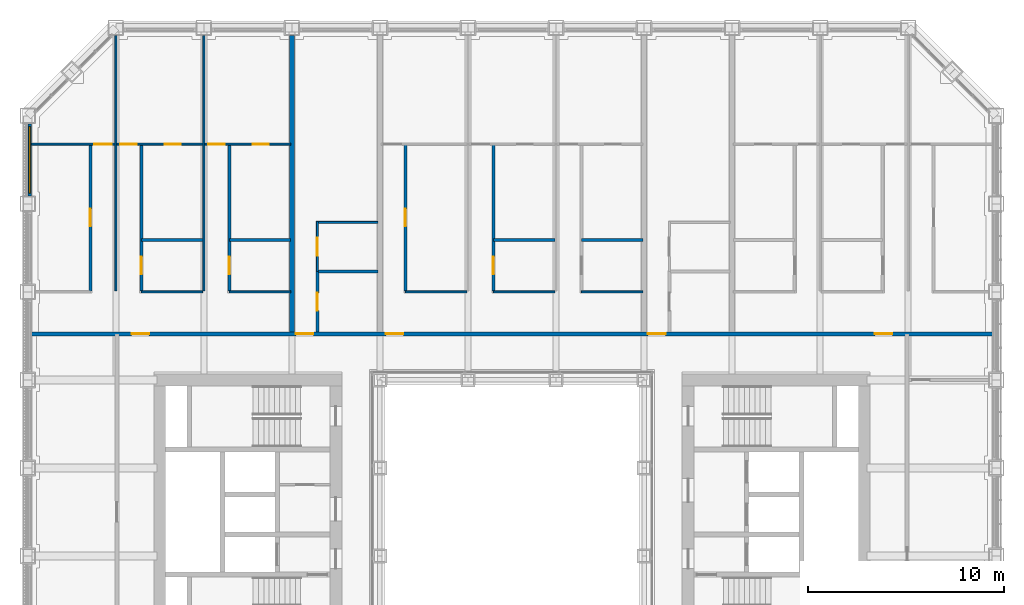
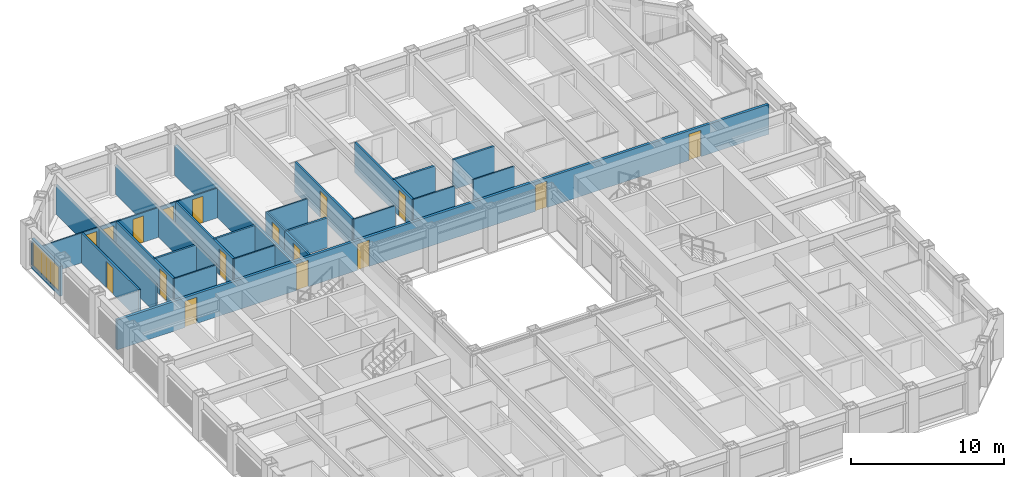
# One storey, part 13 of 20: 26 walls, 17 doors, 1 window, 18 openings.
"""IFC4 building model written with IfcOpenShell, lengths in metres."""

from ifc_helpers import new_model, si_unit, direction, frame, frame_2d, origin, place, context, subcontext, project, spatial, rectangle, extrude, material, layer, layer_set, type_object, element, fill, save


model = new_model("IFC4")

# Units and contexts
model_context = context("Model", 3, precision=1e-05, world=origin(), true_north=direction((0.0, 1.0)))
body_context = subcontext(model_context, "Body", "Model", "MODEL_VIEW")
ifc_project = project(units=[si_unit("LENGTHUNIT", "METRE"), si_unit("AREAUNIT", "SQUARE_METRE"), si_unit("VOLUMEUNIT", "CUBIC_METRE"), si_unit("PLANEANGLEUNIT", "RADIAN"), si_unit("MASSUNIT", "GRAM", prefix="KILO")], contexts=[model_context])

# Site, building, storey
site_placement = place(None, origin())
site = spatial("IfcSite", under=ifc_project, at=site_placement, CompositionType="ELEMENT")
building_placement = place(site_placement, origin())
building = spatial("IfcBuilding", under=site, at=building_placement, Name="Msasa Ring Tower", CompositionType="ELEMENT")
storey_placement = place(building_placement, frame((0.0, 0.0, 58.0)))
storey = spatial("IfcBuildingStorey", under=building, at=storey_placement, Name="L14", CompositionType="ELEMENT", Elevation=58.0)

# Wall, opening, window
ifc_material_1 = material(Name="Terracotta rainscreen on blockwork", Category="masonry")
ifc_layer_1 = layer(ifc_material_1, 0.199951171875)
ifc_layer_set_1 = layer_set([ifc_layer_1], Name="FW1 TERRACOTTA-LINED INFILL BAY WALL 200")
wall_type_1 = type_object("IfcWallType", Name="FW1 TERRACOTTA-LINED INFILL BAY WALL 200", PredefinedType="SOLIDWALL", material=ifc_layer_set_1)
wall_1_placement = place(storey_placement, frame((-24.64990234375, 16.155029296875, 0.0), z_axis=(0.0, 0.0, 1.0), x_axis=(0.0, 1.0, 0.0)))
wall_1 = element("IfcWall", 1, at=wall_1_placement, inside=storey, type_object=wall_type_1, Name="Infill bay wall W L14 41", PredefinedType="SOLIDWALL", context=body_context, shape_type="SweptSolid", body=[
    extrude(rectangle(XDim=3.68994140625, YDim=0.199951171875, at=frame_2d((1.844970703125, 0.0))), origin(), (0.0, 0.0, 1.0), 2.37890625),
])
opening_1_placement = place(wall_1_placement, frame((0.14501953125, 0.0, 0.300048828125)))
opening_1 = element("IfcOpeningElement", 2, at=opening_1_placement, cuts=wall_1, Name="Opening WN1", PredefinedType="OPENING", context=body_context, shape_type="SweptSolid", body=[
    extrude(rectangle(XDim=3.39990234375, YDim=1.928955078125, at=frame_2d((1.699951171875, 0.96435546875))), frame((0.0, 0.10986328125, 0.0), z_axis=(0.0, -1.0, 0.0), x_axis=(1.0, 0.0, 0.0)), (0.0, 0.0, 1.0), 0.219970703125),
])
ifc_material_2 = material(Name="Aluminium frame with clear glass", Category="aluminium")
window_type = type_object("IfcWindowType", Name="WN1 RESIDENCE WINDOW 3400x1929", PartitioningType="SINGLE_PANEL", PredefinedType="WINDOW", material=ifc_material_2)
window_placement = place(opening_1_placement, origin())
window = element("IfcWindow", 3, at=window_placement, inside=storey, type_object=window_type, Name="Window W L14 41", OverallHeight=1.928955078125, OverallWidth=3.39990234375, PartitioningType="SINGLE_PANEL", PredefinedType="WINDOW", context=body_context, shape_type="SweptSolid", body=[
    extrude(rectangle(XDim=3.39990234375, YDim=1.928955078125, at=frame_2d((1.699951171875, 0.96435546875))), frame((0.0, 0.030029296875, 0.0), z_axis=(0.0, -1.0, 0.0), x_axis=(1.0, 0.0, 0.0)), (0.0, 0.0, 1.0), 0.06005859375),
])
fill(opening_1, window)

# Wall, openings, doors
ifc_material_3 = material(Name="Concrete blockwork", Category="masonry")
ifc_layer_2 = layer(ifc_material_3, 0.199951171875)
ifc_layer_set_2 = layer_set([ifc_layer_2], Name="PT1 CORRIDOR WALL 200")
wall_type_2 = type_object("IfcWallType", Name="PT1 CORRIDOR WALL 200", PredefinedType="PARTITIONING", material=ifc_layer_set_2)
wall_2_placement = place(storey_placement, frame((-24.550048828125, 9.10009765625, 0.0), z_axis=(0.0, 0.0, 1.0), x_axis=(1.0, 0.0, 0.0)))
wall_2 = element("IfcWall", 4, at=wall_2_placement, inside=storey, type_object=wall_type_2, Name="Corridor wall L14-CORRN0", PredefinedType="PARTITIONING", context=body_context, shape_type="SweptSolid", body=[
    extrude(rectangle(XDim=49.10009765625, YDim=0.199951171875, at=frame_2d((24.550048828125, 0.0))), origin(), (0.0, 0.0, 1.0), 2.373291015625),
])
opening_2_placement = place(wall_2_placement, frame((5.10009765625, 0.0, 0.0)))
opening_2 = element("IfcOpeningElement", 5, at=opening_2_placement, cuts=wall_2, Name="Opening RD-029", PredefinedType="OPENING", context=body_context, shape_type="SweptSolid", body=[
    extrude(rectangle(XDim=0.89990234375, YDim=2.10009765625, at=frame_2d((0.449951171875, 1.050048828125))), frame((0.0, 0.10986328125, 0.0), z_axis=(0.0, -1.0, 0.0), x_axis=(1.0, 0.0, 0.0)), (0.0, 0.0, 1.0), 0.219970703125),
])
opening_3_placement = place(wall_2_placement, frame((13.5, 0.0, 0.0)))
opening_3 = element("IfcOpeningElement", 6, at=opening_3_placement, cuts=wall_2, Name="Opening RD-030", PredefinedType="OPENING", context=body_context, shape_type="SweptSolid", body=[
    extrude(rectangle(XDim=0.89990234375, YDim=2.10009765625, at=frame_2d((0.449951171875, 1.050048828125))), frame((0.0, 0.10986328125, 0.0), z_axis=(0.0, -1.0, 0.0), x_axis=(1.0, 0.0, 0.0)), (0.0, 0.0, 1.0), 0.219970703125),
])
opening_4_placement = place(wall_2_placement, frame((18.10009765625, 0.0, 0.0)))
opening_4 = element("IfcOpeningElement", 7, at=opening_4_placement, cuts=wall_2, Name="Opening RD-031", PredefinedType="OPENING", context=body_context, shape_type="SweptSolid", body=[
    extrude(rectangle(XDim=0.89990234375, YDim=2.10009765625, at=frame_2d((0.449951171875, 1.050048828125))), frame((0.0, 0.10986328125, 0.0), z_axis=(0.0, -1.0, 0.0), x_axis=(1.0, 0.0, 0.0)), (0.0, 0.0, 1.0), 0.219970703125),
])
opening_5_placement = place(wall_2_placement, frame((31.5, 0.0, 0.0)))
opening_5 = element("IfcOpeningElement", 8, at=opening_5_placement, cuts=wall_2, Name="Opening RD-032", PredefinedType="OPENING", context=body_context, shape_type="SweptSolid", body=[
    extrude(rectangle(XDim=0.89990234375, YDim=2.10009765625, at=frame_2d((0.449951171875, 1.050048828125))), frame((0.0, 0.10986328125, 0.0), z_axis=(0.0, -1.0, 0.0), x_axis=(1.0, 0.0, 0.0)), (0.0, 0.0, 1.0), 0.219970703125),
])
opening_6_placement = place(wall_2_placement, frame((43.10009765625, 0.0, 0.0)))
opening_6 = element("IfcOpeningElement", 9, at=opening_6_placement, cuts=wall_2, Name="Opening RD-033", PredefinedType="OPENING", context=body_context, shape_type="SweptSolid", body=[
    extrude(rectangle(XDim=0.89990234375, YDim=2.10009765625, at=frame_2d((0.449951171875, 1.050048828125))), frame((0.0, 0.10986328125, 0.0), z_axis=(0.0, -1.0, 0.0), x_axis=(1.0, 0.0, 0.0)), (0.0, 0.0, 1.0), 0.219970703125),
])
ifc_material_4 = material(Name="Timber door leaf in a steel frame", Category="steel")
door_type_1 = type_object("IfcDoorType", Name="D2 ENTRANCE DOOR 900x2100", OperationType="SINGLE_SWING_LEFT", PredefinedType="DOOR", material=ifc_material_4)
door_1_placement = place(opening_2_placement, origin())
door_1 = element("IfcDoor", 10, at=door_1_placement, inside=storey, type_object=door_type_1, Name="Door L14-UN00", OperationType="SINGLE_SWING_LEFT", OverallHeight=2.10009765625, OverallWidth=0.89990234375, PredefinedType="DOOR", context=body_context, shape_type="SweptSolid", body=[
    extrude(rectangle(XDim=0.89990234375, YDim=2.10009765625, at=frame_2d((0.449951171875, 1.050048828125))), frame((0.0, 0.02490234375, 0.0), z_axis=(0.0, -1.0, 0.0), x_axis=(1.0, 0.0, 0.0)), (0.0, 0.0, 1.0), 0.050048828125),
])
fill(opening_2, door_1)
door_2_placement = place(opening_3_placement, origin())
door_2 = element("IfcDoor", 11, at=door_2_placement, inside=storey, type_object=door_type_1, Name="Door L14-UN01", OperationType="SINGLE_SWING_LEFT", OverallHeight=2.10009765625, OverallWidth=0.89990234375, PredefinedType="DOOR", context=body_context, shape_type="SweptSolid", body=[
    extrude(rectangle(XDim=0.89990234375, YDim=2.10009765625, at=frame_2d((0.449951171875, 1.050048828125))), frame((0.0, 0.02490234375, 0.0), z_axis=(0.0, -1.0, 0.0), x_axis=(1.0, 0.0, 0.0)), (0.0, 0.0, 1.0), 0.050048828125),
])
fill(opening_3, door_2)
door_3_placement = place(opening_4_placement, origin())
door_3 = element("IfcDoor", 12, at=door_3_placement, inside=storey, type_object=door_type_1, Name="Door L14-UN02", OperationType="SINGLE_SWING_LEFT", OverallHeight=2.10009765625, OverallWidth=0.89990234375, PredefinedType="DOOR", context=body_context, shape_type="SweptSolid", body=[
    extrude(rectangle(XDim=0.89990234375, YDim=2.10009765625, at=frame_2d((0.449951171875, 1.050048828125))), frame((0.0, 0.02490234375, 0.0), z_axis=(0.0, -1.0, 0.0), x_axis=(1.0, 0.0, 0.0)), (0.0, 0.0, 1.0), 0.050048828125),
])
fill(opening_4, door_3)
door_4_placement = place(opening_5_placement, origin())
door_4 = element("IfcDoor", 13, at=door_4_placement, inside=storey, type_object=door_type_1, Name="Door L14-UN03", OperationType="SINGLE_SWING_RIGHT", OverallHeight=2.10009765625, OverallWidth=0.89990234375, PredefinedType="DOOR", context=body_context, shape_type="SweptSolid", body=[
    extrude(rectangle(XDim=0.89990234375, YDim=2.10009765625, at=frame_2d((0.449951171875, 1.050048828125))), frame((0.0, 0.02490234375, 0.0), z_axis=(0.0, -1.0, 0.0), x_axis=(1.0, 0.0, 0.0)), (0.0, 0.0, 1.0), 0.050048828125),
])
fill(opening_5, door_4)
door_5_placement = place(opening_6_placement, origin())
door_5 = element("IfcDoor", 14, at=door_5_placement, inside=storey, type_object=door_type_1, Name="Door L14-UN04", OperationType="SINGLE_SWING_RIGHT", OverallHeight=2.10009765625, OverallWidth=0.89990234375, PredefinedType="DOOR", context=body_context, shape_type="SweptSolid", body=[
    extrude(rectangle(XDim=0.89990234375, YDim=2.10009765625, at=frame_2d((0.449951171875, 1.050048828125))), frame((0.0, 0.02490234375, 0.0), z_axis=(0.0, -1.0, 0.0), x_axis=(1.0, 0.0, 0.0)), (0.0, 0.0, 1.0), 0.050048828125),
])
fill(opening_6, door_5)

# Wall, opening, door
ifc_material_5 = material(Name="Gypsum board on steel studs", Category="steel")
ifc_layer_3 = layer(ifc_material_5, 0.10009765625)
ifc_layer_set_3 = layer_set([ifc_layer_3], Name="PT2 STUD PARTITION 100")
wall_type_3 = type_object("IfcWallType", Name="PT2 STUD PARTITION 100", PredefinedType="PARTITIONING", material=ifc_layer_set_3)
wall_3_placement = place(storey_placement, frame((-24.550048828125, 18.800048828125, 0.0), z_axis=(0.0, 0.0, 1.0), x_axis=(1.0, 0.0, 0.0)))
wall_3 = element("IfcWall", 15, at=wall_3_placement, inside=storey, type_object=wall_type_3, Name="Partition L14-UN00SY0", PredefinedType="PARTITIONING", context=body_context, shape_type="SweptSolid", body=[
    extrude(rectangle(XDim=4.25, YDim=0.10009765625, at=frame_2d((2.125, 0.0))), origin(), (0.0, 0.0, 1.0), 2.373291015625),
])
opening_7_placement = place(wall_3_placement, frame((3.199951171875, 0.0, 0.0)))
opening_7 = element("IfcOpeningElement", 16, at=opening_7_placement, cuts=wall_3, Name="Opening RD-001", PredefinedType="OPENING", context=body_context, shape_type="SweptSolid", body=[
    extrude(rectangle(XDim=0.89990234375, YDim=2.10009765625, at=frame_2d((0.449951171875, 1.050048828125))), frame((0.0, 0.06005859375, 0.0), z_axis=(0.0, -1.0, 0.0), x_axis=(1.0, 0.0, 0.0)), (0.0, 0.0, 1.0), 0.1201171875),
])
ifc_material_6 = material(Name="Timber door leaf in a steel frame", Category="steel")
door_type_2 = type_object("IfcDoorType", Name="D22 INTERNAL HALL DOOR 900x2100", OperationType="SINGLE_SWING_LEFT", PredefinedType="DOOR", material=ifc_material_6)
door_6_placement = place(opening_7_placement, origin())
door_6 = element("IfcDoor", 17, at=door_6_placement, inside=storey, type_object=door_type_2, Name="Door L14-UN00L", OperationType="SINGLE_SWING_RIGHT", OverallHeight=2.10009765625, OverallWidth=0.89990234375, PredefinedType="DOOR", context=body_context, shape_type="SweptSolid", body=[
    extrude(rectangle(XDim=0.89990234375, YDim=2.10009765625, at=frame_2d((0.449951171875, 1.050048828125))), frame((0.0, 0.02490234375, 0.0), z_axis=(0.0, -1.0, 0.0), x_axis=(1.0, 0.0, 0.0)), (0.0, 0.0, 1.0), 0.050048828125),
])
fill(opening_7, door_6)

# Walls
wall_4_placement = place(storey_placement, frame((-20.25, 11.300048828125, 0.0), z_axis=(0.0, 0.0, 1.0), x_axis=(0.0, 1.0, 0.0)))
element("IfcWall", 18, at=wall_4_placement, inside=storey, type_object=wall_type_3, Name="Partition L14-UN00P1", PredefinedType="PARTITIONING", context=body_context, shape_type="SweptSolid", body=[
    extrude(rectangle(XDim=13.050048828125, YDim=0.10009765625, at=frame_2d((6.52490234375, 0.0))), origin(), (0.0, 0.0, 1.0), 2.373291015625),
])
wall_5_placement = place(storey_placement, frame((-18.949951171875, 11.25, 0.0), z_axis=(0.0, 0.0, 1.0), x_axis=(1.0, 0.0, 0.0)))
element("IfcWall", 19, at=wall_5_placement, inside=storey, type_object=wall_type_3, Name="Partition L14-UN00HY1", PredefinedType="PARTITIONING", context=body_context, shape_type="SweptSolid", body=[
    extrude(rectangle(XDim=3.139892578125, YDim=0.10009765625, at=frame_2d((1.56982421875, 0.0))), origin(), (0.0, 0.0, 1.0), 2.373291015625),
])

# Wall, openings, doors
wall_6_placement = place(storey_placement, frame((-20.199951171875, 18.800048828125, 0.0), z_axis=(0.0, 0.0, 1.0), x_axis=(1.0, 0.0, 0.0)))
wall_6 = element("IfcWall", 20, at=wall_6_placement, inside=storey, type_object=wall_type_3, Name="Partition L14-UN00SY1", PredefinedType="PARTITIONING", context=body_context, shape_type="SweptSolid", body=[
    extrude(rectangle(XDim=4.39990234375, YDim=0.10009765625, at=frame_2d((2.199951171875, 0.0))), origin(), (0.0, 0.0, 1.0), 2.373291015625),
])
opening_8_placement = place(wall_6_placement, frame((0.175048828125, 0.0, 0.0)))
opening_8 = element("IfcOpeningElement", 21, at=opening_8_placement, cuts=wall_6, Name="Opening RD-002", PredefinedType="OPENING", context=body_context, shape_type="SweptSolid", body=[
    extrude(rectangle(XDim=0.85009765625, YDim=2.10009765625, at=frame_2d((0.425048828125, 1.050048828125))), frame((0.0, 0.06005859375, 0.0), z_axis=(0.0, -1.0, 0.0), x_axis=(1.0, 0.0, 0.0)), (0.0, 0.0, 1.0), 0.1201171875),
])
opening_9_placement = place(wall_6_placement, frame((2.4599609375, 0.0, 0.0)))
opening_9 = element("IfcOpeningElement", 22, at=opening_9_placement, cuts=wall_6, Name="Opening RD-003", PredefinedType="OPENING", context=body_context, shape_type="SweptSolid", body=[
    extrude(rectangle(XDim=0.800048828125, YDim=2.10009765625, at=frame_2d((0.39990234375, 1.050048828125))), frame((0.0, 0.06005859375, 0.0), z_axis=(0.0, -1.0, 0.0), x_axis=(1.0, 0.0, 0.0)), (0.0, 0.0, 1.0), 0.1201171875),
])
ifc_material_7 = material(Name="Timber door leaf in a steel frame", Category="steel")
door_type_3 = type_object("IfcDoorType", Name="D14 BEDROOM DOOR 850x2100", OperationType="SINGLE_SWING_LEFT", PredefinedType="DOOR", material=ifc_material_7)
door_7_placement = place(opening_8_placement, origin())
door_7 = element("IfcDoor", 23, at=door_7_placement, inside=storey, type_object=door_type_3, Name="Door L14-UN00R1", OperationType="SINGLE_SWING_LEFT", OverallHeight=2.10009765625, OverallWidth=0.85009765625, PredefinedType="DOOR", context=body_context, shape_type="SweptSolid", body=[
    extrude(rectangle(XDim=0.85009765625, YDim=2.10009765625, at=frame_2d((0.425048828125, 1.050048828125))), frame((0.0, 0.02490234375, 0.0), z_axis=(0.0, -1.0, 0.0), x_axis=(1.0, 0.0, 0.0)), (0.0, 0.0, 1.0), 0.050048828125),
])
fill(opening_8, door_7)
ifc_material_8 = material(Name="Timber door leaf in a steel frame", Category="steel")
door_type_4 = type_object("IfcDoorType", Name="D60 DRESSING ROOM DOOR 800x2100", OperationType="SINGLE_SWING_LEFT", PredefinedType="DOOR", material=ifc_material_8)
door_8_placement = place(opening_9_placement, origin())
door_8 = element("IfcDoor", 24, at=door_8_placement, inside=storey, type_object=door_type_4, Name="Door L14-UN00W1", OperationType="SINGLE_SWING_RIGHT", OverallHeight=2.10009765625, OverallWidth=0.800048828125, PredefinedType="DOOR", context=body_context, shape_type="SweptSolid", body=[
    extrude(rectangle(XDim=0.800048828125, YDim=2.10009765625, at=frame_2d((0.39990234375, 1.050048828125))), frame((0.0, 0.02490234375, 0.0), z_axis=(0.0, -1.0, 0.0), x_axis=(1.0, 0.0, 0.0)), (0.0, 0.0, 1.0), 0.050048828125),
])
fill(opening_9, door_8)

# Walls
wall_7_placement = place(storey_placement, frame((-15.75, 11.300048828125, 0.0), z_axis=(0.0, 0.0, 1.0), x_axis=(0.0, 1.0, 0.0)))
element("IfcWall", 25, at=wall_7_placement, inside=storey, type_object=wall_type_3, Name="Partition L14-UN00P2", PredefinedType="PARTITIONING", context=body_context, shape_type="SweptSolid", body=[
    extrude(rectangle(XDim=13.050048828125, YDim=0.10009765625, at=frame_2d((6.52490234375, 0.0))), origin(), (0.0, 0.0, 1.0), 2.373291015625),
])
wall_8_placement = place(storey_placement, frame((-14.449951171875, 11.25, 0.0), z_axis=(0.0, 0.0, 1.0), x_axis=(1.0, 0.0, 0.0)))
element("IfcWall", 26, at=wall_8_placement, inside=storey, type_object=wall_type_3, Name="Partition L14-UN00HY2", PredefinedType="PARTITIONING", context=body_context, shape_type="SweptSolid", body=[
    extrude(rectangle(XDim=3.139892578125, YDim=0.10009765625, at=frame_2d((1.56982421875, 0.0))), origin(), (0.0, 0.0, 1.0), 2.373291015625),
])

# Wall, openings, doors
wall_9_placement = place(storey_placement, frame((-15.699951171875, 18.800048828125, 0.0), z_axis=(0.0, 0.0, 1.0), x_axis=(1.0, 0.0, 0.0)))
wall_9 = element("IfcWall", 27, at=wall_9_placement, inside=storey, type_object=wall_type_3, Name="Partition L14-UN00SY2", PredefinedType="PARTITIONING", context=body_context, shape_type="SweptSolid", body=[
    extrude(rectangle(XDim=4.389892578125, YDim=0.10009765625, at=frame_2d((2.19482421875, 0.0))), origin(), (0.0, 0.0, 1.0), 2.373291015625),
])
opening_10_placement = place(wall_9_placement, frame((0.175048828125, 0.0, 0.0)))
opening_10 = element("IfcOpeningElement", 28, at=opening_10_placement, cuts=wall_9, Name="Opening RD-004", PredefinedType="OPENING", context=body_context, shape_type="SweptSolid", body=[
    extrude(rectangle(XDim=0.85009765625, YDim=2.10009765625, at=frame_2d((0.425048828125, 1.050048828125))), frame((0.0, 0.06005859375, 0.0), z_axis=(0.0, -1.0, 0.0), x_axis=(1.0, 0.0, 0.0)), (0.0, 0.0, 1.0), 0.1201171875),
])
opening_11_placement = place(wall_9_placement, frame((2.4599609375, 0.0, 0.0)))
opening_11 = element("IfcOpeningElement", 29, at=opening_11_placement, cuts=wall_9, Name="Opening RD-005", PredefinedType="OPENING", context=body_context, shape_type="SweptSolid", body=[
    extrude(rectangle(XDim=0.800048828125, YDim=2.10009765625, at=frame_2d((0.39990234375, 1.050048828125))), frame((0.0, 0.06005859375, 0.0), z_axis=(0.0, -1.0, 0.0), x_axis=(1.0, 0.0, 0.0)), (0.0, 0.0, 1.0), 0.1201171875),
])
door_9_placement = place(opening_10_placement, origin())
door_9 = element("IfcDoor", 30, at=door_9_placement, inside=storey, type_object=door_type_3, Name="Door L14-UN00R2", OperationType="SINGLE_SWING_LEFT", OverallHeight=2.10009765625, OverallWidth=0.85009765625, PredefinedType="DOOR", context=body_context, shape_type="SweptSolid", body=[
    extrude(rectangle(XDim=0.85009765625, YDim=2.10009765625, at=frame_2d((0.425048828125, 1.050048828125))), frame((0.0, 0.02490234375, 0.0), z_axis=(0.0, -1.0, 0.0), x_axis=(1.0, 0.0, 0.0)), (0.0, 0.0, 1.0), 0.050048828125),
])
fill(opening_10, door_9)
door_10_placement = place(opening_11_placement, origin())
door_10 = element("IfcDoor", 31, at=door_10_placement, inside=storey, type_object=door_type_4, Name="Door L14-UN00W2", OperationType="SINGLE_SWING_RIGHT", OverallHeight=2.10009765625, OverallWidth=0.800048828125, PredefinedType="DOOR", context=body_context, shape_type="SweptSolid", body=[
    extrude(rectangle(XDim=0.800048828125, YDim=2.10009765625, at=frame_2d((0.39990234375, 1.050048828125))), frame((0.0, 0.02490234375, 0.0), z_axis=(0.0, -1.0, 0.0), x_axis=(1.0, 0.0, 0.0)), (0.0, 0.0, 1.0), 0.050048828125),
])
fill(opening_11, door_10)

# Wall
wall_10_placement = place(storey_placement, frame((-9.89990234375, 14.800048828125, 0.0), z_axis=(0.0, 0.0, 1.0), x_axis=(1.0, 0.0, 0.0)))
element("IfcWall", 32, at=wall_10_placement, inside=storey, type_object=wall_type_3, Name="Partition L14-UN01KY", PredefinedType="PARTITIONING", context=body_context, shape_type="SweptSolid", body=[
    extrude(rectangle(XDim=3.0498046875, YDim=0.10009765625, at=frame_2d((1.52490234375, 0.0))), origin(), (0.0, 0.0, 1.0), 2.373291015625),
])

# Wall, opening, door
wall_11_placement = place(storey_placement, frame((-9.949951171875, 12.300048828125, 0.0), z_axis=(0.0, 0.0, 1.0), x_axis=(0.0, 1.0, 0.0)))
wall_11 = element("IfcWall", 33, at=wall_11_placement, inside=storey, type_object=wall_type_3, Name="Partition L14-UN01KX", PredefinedType="PARTITIONING", context=body_context, shape_type="SweptSolid", body=[
    extrude(rectangle(XDim=2.550048828125, YDim=0.10009765625, at=frame_2d((1.27490234375, 0.0))), origin(), (0.0, 0.0, 1.0), 2.373291015625),
])
opening_12_placement = place(wall_11_placement, frame((0.81005859375, 0.0, 0.0)))
opening_12 = element("IfcOpeningElement", 34, at=opening_12_placement, cuts=wall_11, Name="Opening RD-019", PredefinedType="OPENING", context=body_context, shape_type="SweptSolid", body=[
    extrude(rectangle(XDim=0.89990234375, YDim=2.10009765625, at=frame_2d((0.449951171875, 1.050048828125))), frame((0.0, 0.06005859375, 0.0), z_axis=(0.0, -1.0, 0.0), x_axis=(1.0, 0.0, 0.0)), (0.0, 0.0, 1.0), 0.1201171875),
])
door_11_placement = place(opening_12_placement, origin())
door_11 = element("IfcDoor", 35, at=door_11_placement, inside=storey, type_object=door_type_2, Name="Door L14-UN01K", OperationType="SINGLE_SWING_LEFT", OverallHeight=2.10009765625, OverallWidth=0.89990234375, PredefinedType="DOOR", context=body_context, shape_type="SweptSolid", body=[
    extrude(rectangle(XDim=0.89990234375, YDim=2.10009765625, at=frame_2d((0.449951171875, 1.050048828125))), frame((0.0, 0.02490234375, 0.0), z_axis=(0.0, -1.0, 0.0), x_axis=(1.0, 0.0, 0.0)), (0.0, 0.0, 1.0), 0.050048828125),
])
fill(opening_12, door_11)

# Walls
for number, where, z_axis, x_axis, name in (
    (36, (-5.449951171875, 11.25, 0.0), (0.0, 0.0, 1.0), (1.0, 0.0, 0.0), "Partition L14-UN02HY0"),
    (37, (-0.949951171875, 11.25, 0.0), (0.0, 0.0, 1.0), (1.0, 0.0, 0.0), "Partition L14-UN02HY1"),
    (38, (3.550048828125, 11.25, 0.0), (0.0, 0.0, 1.0), (1.0, 0.0, 0.0), "Partition L14-UN02HY2"),
):
    element("IfcWall", number, at=place(storey_placement, frame(where, z_axis=z_axis, x_axis=x_axis)), inside=storey, type_object=wall_type_3, Name=name, PredefinedType="PARTITIONING", context=body_context, shape_type="SweptSolid", body=[
        extrude(rectangle(XDim=3.139892578125, YDim=0.10009765625, at=frame_2d((1.56982421875, 0.0))), origin(), (0.0, 0.0, 1.0), 2.373291015625),
    ])
ifc_material_9 = material(Name="Dense concrete blockwork, plastered both faces", Category="masonry")
ifc_layer_4 = layer(ifc_material_9, 0.25)
ifc_layer_set_4 = layer_set([ifc_layer_4], Name="PT3 APARTMENT SEPARATING WALL 250")
wall_type_4 = type_object("IfcWallType", Name="PT3 APARTMENT SEPARATING WALL 250", PredefinedType="PARTITIONING", material=ifc_layer_set_4)
wall_12_placement = place(storey_placement, frame((-11.25, 9.199951171875, 0.0), z_axis=(0.0, 0.0, 1.0), x_axis=(0.0, 1.0, 0.0)))
element("IfcWall", 39, at=wall_12_placement, inside=storey, type_object=wall_type_4, Name="Party wall L14-PWN-11.25", PredefinedType="PARTITIONING", context=body_context, shape_type="SweptSolid", body=[
    extrude(rectangle(XDim=15.150146484375, YDim=0.25, at=frame_2d((7.5751953125, 0.0))), origin(), (0.0, 0.0, 1.0), 2.373291015625),
])

# Wall, opening, door
ifc_material_10 = material(Name="Moisture-resistant board on steel studs with a concealed cistern and pipe void, tiled", Category="steel")
ifc_layer_5 = layer(ifc_material_10, 0.14990234375)
ifc_layer_set_5 = layer_set([ifc_layer_5], Name="PT4 BATHROOM WET WALL 150")
wall_type_5 = type_object("IfcWallType", Name="PT4 BATHROOM WET WALL 150", PredefinedType="PARTITIONING", material=ifc_layer_set_5)
wall_13_placement = place(storey_placement, frame((-21.550048828125, 11.300048828125, 0.0), z_axis=(0.0, 0.0, 1.0), x_axis=(0.0, 1.0, 0.0)))
wall_13 = element("IfcWall", 40, at=wall_13_placement, inside=storey, type_object=wall_type_5, Name="Partition L14-UN00SX0", PredefinedType="PARTITIONING", context=body_context, shape_type="SweptSolid", body=[
    extrude(rectangle(XDim=7.5, YDim=0.14990234375, at=frame_2d((3.75, 0.0))), origin(), (0.0, 0.0, 1.0), 2.373291015625),
])
opening_13_placement = place(wall_13_placement, frame((3.300048828125, 0.0, 0.0)))
opening_13 = element("IfcOpeningElement", 41, at=opening_13_placement, cuts=wall_13, Name="Opening RD-016", PredefinedType="OPENING", context=body_context, shape_type="SweptSolid", body=[
    extrude(rectangle(XDim=0.89990234375, YDim=2.10009765625, at=frame_2d((0.449951171875, 1.050048828125))), frame((0.0, 0.0849609375, 0.0), z_axis=(0.0, -1.0, 0.0), x_axis=(1.0, 0.0, 0.0)), (0.0, 0.0, 1.0), 0.169921875),
])
door_12_placement = place(opening_13_placement, origin())
door_12 = element("IfcDoor", 42, at=door_12_placement, inside=storey, type_object=door_type_2, Name="Door L14-UN00K", OperationType="SINGLE_SWING_LEFT", OverallHeight=2.10009765625, OverallWidth=0.89990234375, PredefinedType="DOOR", context=body_context, shape_type="SweptSolid", body=[
    extrude(rectangle(XDim=0.89990234375, YDim=2.10009765625, at=frame_2d((0.449951171875, 1.050048828125))), frame((0.0, 0.02490234375, 0.0), z_axis=(0.0, -1.0, 0.0), x_axis=(1.0, 0.0, 0.0)), (0.0, 0.0, 1.0), 0.050048828125),
])
fill(opening_13, door_12)

wall_14_placement = place(storey_placement, frame((-18.949951171875, 11.300048828125, 0.0), z_axis=(0.0, 0.0, 1.0), x_axis=(0.0, 1.0, 0.0)))
wall_14 = element("IfcWall", 43, at=wall_14_placement, inside=storey, type_object=wall_type_5, Name="Partition L14-UN00SX1", PredefinedType="PARTITIONING", context=body_context, shape_type="SweptSolid", body=[
    extrude(rectangle(XDim=7.5, YDim=0.14990234375, at=frame_2d((3.75, 0.0))), origin(), (0.0, 0.0, 1.0), 2.373291015625),
])
opening_14_placement = place(wall_14_placement, frame((0.85009765625, 0.0, 0.0)))
opening_14 = element("IfcOpeningElement", 44, at=opening_14_placement, cuts=wall_14, Name="Opening RD-021", PredefinedType="OPENING", context=body_context, shape_type="SweptSolid", body=[
    extrude(rectangle(XDim=0.89990234375, YDim=2.10009765625, at=frame_2d((0.449951171875, 1.050048828125))), frame((0.0, 0.0849609375, 0.0), z_axis=(0.0, -1.0, 0.0), x_axis=(1.0, 0.0, 0.0)), (0.0, 0.0, 1.0), 0.169921875),
])
ifc_material_11 = material(Name="Timber door leaf in a steel frame", Category="steel")
door_type_5 = type_object("IfcDoorType", Name="D3 BATHROOM DOOR 900x2100", OperationType="SINGLE_SWING_LEFT", PredefinedType="DOOR", material=ifc_material_11)
door_13_placement = place(opening_14_placement, origin())
door_13 = element("IfcDoor", 45, at=door_13_placement, inside=storey, type_object=door_type_5, Name="Door L14-UN00B1", OperationType="SINGLE_SWING_LEFT", OverallHeight=2.10009765625, OverallWidth=0.89990234375, PredefinedType="DOOR", context=body_context, shape_type="SweptSolid", body=[
    extrude(rectangle(XDim=0.89990234375, YDim=2.10009765625, at=frame_2d((0.449951171875, 1.050048828125))), frame((0.0, 0.02490234375, 0.0), z_axis=(0.0, -1.0, 0.0), x_axis=(1.0, 0.0, 0.0)), (0.0, 0.0, 1.0), 0.050048828125),
])
fill(opening_14, door_13)

# Wall
wall_15_placement = place(storey_placement, frame((-18.949951171875, 13.89990234375, 0.0), z_axis=(0.0, 0.0, 1.0), x_axis=(1.0, 0.0, 0.0)))
element("IfcWall", 46, at=wall_15_placement, inside=storey, type_object=wall_type_5, Name="Partition L14-UN00SB1", PredefinedType="PARTITIONING", context=body_context, shape_type="SweptSolid", body=[
    extrude(rectangle(XDim=3.14990234375, YDim=0.14990234375, at=frame_2d((1.574951171875, 0.0))), origin(), (0.0, 0.0, 1.0), 2.373291015625),
])

# Wall, opening, door
wall_16_placement = place(storey_placement, frame((-14.449951171875, 11.300048828125, 0.0), z_axis=(0.0, 0.0, 1.0), x_axis=(0.0, 1.0, 0.0)))
wall_16 = element("IfcWall", 47, at=wall_16_placement, inside=storey, type_object=wall_type_5, Name="Partition L14-UN00SX2", PredefinedType="PARTITIONING", context=body_context, shape_type="SweptSolid", body=[
    extrude(rectangle(XDim=7.5, YDim=0.14990234375, at=frame_2d((3.75, 0.0))), origin(), (0.0, 0.0, 1.0), 2.373291015625),
])
opening_15_placement = place(wall_16_placement, frame((0.85009765625, 0.0, 0.0)))
opening_15 = element("IfcOpeningElement", 48, at=opening_15_placement, cuts=wall_16, Name="Opening RD-022", PredefinedType="OPENING", context=body_context, shape_type="SweptSolid", body=[
    extrude(rectangle(XDim=0.89990234375, YDim=2.10009765625, at=frame_2d((0.449951171875, 1.050048828125))), frame((0.0, 0.0849609375, 0.0), z_axis=(0.0, -1.0, 0.0), x_axis=(1.0, 0.0, 0.0)), (0.0, 0.0, 1.0), 0.169921875),
])
door_14_placement = place(opening_15_placement, origin())
door_14 = element("IfcDoor", 49, at=door_14_placement, inside=storey, type_object=door_type_5, Name="Door L14-UN00B2", OperationType="SINGLE_SWING_LEFT", OverallHeight=2.10009765625, OverallWidth=0.89990234375, PredefinedType="DOOR", context=body_context, shape_type="SweptSolid", body=[
    extrude(rectangle(XDim=0.89990234375, YDim=2.10009765625, at=frame_2d((0.449951171875, 1.050048828125))), frame((0.0, 0.02490234375, 0.0), z_axis=(0.0, -1.0, 0.0), x_axis=(1.0, 0.0, 0.0)), (0.0, 0.0, 1.0), 0.050048828125),
])
fill(opening_15, door_14)

# Wall
wall_17_placement = place(storey_placement, frame((-14.449951171875, 13.89990234375, 0.0), z_axis=(0.0, 0.0, 1.0), x_axis=(1.0, 0.0, 0.0)))
element("IfcWall", 50, at=wall_17_placement, inside=storey, type_object=wall_type_5, Name="Partition L14-UN00SB2", PredefinedType="PARTITIONING", context=body_context, shape_type="SweptSolid", body=[
    extrude(rectangle(XDim=3.139892578125, YDim=0.14990234375, at=frame_2d((1.56982421875, 0.0))), origin(), (0.0, 0.0, 1.0), 2.373291015625),
])

# Wall, opening, door
wall_18_placement = place(storey_placement, frame((-9.949951171875, 9.199951171875, 0.0), z_axis=(0.0, 0.0, 1.0), x_axis=(0.0, 1.0, 0.0)))
wall_18 = element("IfcWall", 51, at=wall_18_placement, inside=storey, type_object=wall_type_5, Name="Partition L14-UN01BX", PredefinedType="PARTITIONING", context=body_context, shape_type="SweptSolid", body=[
    extrude(rectangle(XDim=3.150146484375, YDim=0.14990234375, at=frame_2d((1.5751953125, 0.0))), origin(), (0.0, 0.0, 1.0), 2.373291015625),
])
opening_16_placement = place(wall_18_placement, frame((1.10009765625, 0.0, 0.0)))
opening_16 = element("IfcOpeningElement", 52, at=opening_16_placement, cuts=wall_18, Name="Opening RD-027", PredefinedType="OPENING", context=body_context, shape_type="SweptSolid", body=[
    extrude(rectangle(XDim=0.89990234375, YDim=2.10009765625, at=frame_2d((0.449951171875, 1.050048828125))), frame((0.0, 0.0849609375, 0.0), z_axis=(0.0, -1.0, 0.0), x_axis=(1.0, 0.0, 0.0)), (0.0, 0.0, 1.0), 0.169921875),
])
door_15_placement = place(opening_16_placement, origin())
door_15 = element("IfcDoor", 53, at=door_15_placement, inside=storey, type_object=door_type_5, Name="Door L14-UN01B", OperationType="SINGLE_SWING_LEFT", OverallHeight=2.10009765625, OverallWidth=0.89990234375, PredefinedType="DOOR", context=body_context, shape_type="SweptSolid", body=[
    extrude(rectangle(XDim=0.89990234375, YDim=2.10009765625, at=frame_2d((0.449951171875, 1.050048828125))), frame((0.0, 0.02490234375, 0.0), z_axis=(0.0, -1.0, 0.0), x_axis=(1.0, 0.0, 0.0)), (0.0, 0.0, 1.0), 0.050048828125),
])
fill(opening_16, door_15)

# Wall
wall_19_placement = place(storey_placement, frame((-9.89990234375, 12.300048828125, 0.0), z_axis=(0.0, 0.0, 1.0), x_axis=(1.0, 0.0, 0.0)))
element("IfcWall", 54, at=wall_19_placement, inside=storey, type_object=wall_type_5, Name="Partition L14-UN01BY", PredefinedType="PARTITIONING", context=body_context, shape_type="SweptSolid", body=[
    extrude(rectangle(XDim=3.0498046875, YDim=0.14990234375, at=frame_2d((1.52490234375, 0.0))), origin(), (0.0, 0.0, 1.0), 2.373291015625),
])

# Wall, opening, door
wall_20_placement = place(storey_placement, frame((-5.449951171875, 11.300048828125, 0.0), z_axis=(0.0, 0.0, 1.0), x_axis=(0.0, 1.0, 0.0)))
wall_20 = element("IfcWall", 55, at=wall_20_placement, inside=storey, type_object=wall_type_5, Name="Partition L14-UN02SX0", PredefinedType="PARTITIONING", context=body_context, shape_type="SweptSolid", body=[
    extrude(rectangle(XDim=7.5, YDim=0.14990234375, at=frame_2d((3.75, 0.0))), origin(), (0.0, 0.0, 1.0), 2.373291015625),
])
opening_17_placement = place(wall_20_placement, frame((3.300048828125, 0.0, 0.0)))
opening_17 = element("IfcOpeningElement", 56, at=opening_17_placement, cuts=wall_20, Name="Opening RD-017", PredefinedType="OPENING", context=body_context, shape_type="SweptSolid", body=[
    extrude(rectangle(XDim=0.89990234375, YDim=2.10009765625, at=frame_2d((0.449951171875, 1.050048828125))), frame((0.0, 0.0849609375, 0.0), z_axis=(0.0, -1.0, 0.0), x_axis=(1.0, 0.0, 0.0)), (0.0, 0.0, 1.0), 0.169921875),
])
door_16_placement = place(opening_17_placement, origin())
door_16 = element("IfcDoor", 57, at=door_16_placement, inside=storey, type_object=door_type_2, Name="Door L14-UN02K", OperationType="SINGLE_SWING_LEFT", OverallHeight=2.10009765625, OverallWidth=0.89990234375, PredefinedType="DOOR", context=body_context, shape_type="SweptSolid", body=[
    extrude(rectangle(XDim=0.89990234375, YDim=2.10009765625, at=frame_2d((0.449951171875, 1.050048828125))), frame((0.0, 0.02490234375, 0.0), z_axis=(0.0, -1.0, 0.0), x_axis=(1.0, 0.0, 0.0)), (0.0, 0.0, 1.0), 0.050048828125),
])
fill(opening_17, door_16)

wall_21_placement = place(storey_placement, frame((-0.949951171875, 11.300048828125, 0.0), z_axis=(0.0, 0.0, 1.0), x_axis=(0.0, 1.0, 0.0)))
wall_21 = element("IfcWall", 58, at=wall_21_placement, inside=storey, type_object=wall_type_5, Name="Partition L14-UN02SX1", PredefinedType="PARTITIONING", context=body_context, shape_type="SweptSolid", body=[
    extrude(rectangle(XDim=7.5, YDim=0.14990234375, at=frame_2d((3.75, 0.0))), origin(), (0.0, 0.0, 1.0), 2.373291015625),
])
opening_18_placement = place(wall_21_placement, frame((0.85009765625, 0.0, 0.0)))
opening_18 = element("IfcOpeningElement", 59, at=opening_18_placement, cuts=wall_21, Name="Opening RD-023", PredefinedType="OPENING", context=body_context, shape_type="SweptSolid", body=[
    extrude(rectangle(XDim=0.89990234375, YDim=2.10009765625, at=frame_2d((0.449951171875, 1.050048828125))), frame((0.0, 0.0849609375, 0.0), z_axis=(0.0, -1.0, 0.0), x_axis=(1.0, 0.0, 0.0)), (0.0, 0.0, 1.0), 0.169921875),
])
door_17_placement = place(opening_18_placement, origin())
door_17 = element("IfcDoor", 60, at=door_17_placement, inside=storey, type_object=door_type_5, Name="Door L14-UN02B1", OperationType="SINGLE_SWING_LEFT", OverallHeight=2.10009765625, OverallWidth=0.89990234375, PredefinedType="DOOR", context=body_context, shape_type="SweptSolid", body=[
    extrude(rectangle(XDim=0.89990234375, YDim=2.10009765625, at=frame_2d((0.449951171875, 1.050048828125))), frame((0.0, 0.02490234375, 0.0), z_axis=(0.0, -1.0, 0.0), x_axis=(1.0, 0.0, 0.0)), (0.0, 0.0, 1.0), 0.050048828125),
])
fill(opening_18, door_17)

# Walls
wall_22_placement = place(storey_placement, frame((-0.949951171875, 13.89990234375, 0.0), z_axis=(0.0, 0.0, 1.0), x_axis=(1.0, 0.0, 0.0)))
element("IfcWall", 61, at=wall_22_placement, inside=storey, type_object=wall_type_5, Name="Partition L14-UN02SB1", PredefinedType="PARTITIONING", context=body_context, shape_type="SweptSolid", body=[
    extrude(rectangle(XDim=3.14990234375, YDim=0.14990234375, at=frame_2d((1.574951171875, 0.0))), origin(), (0.0, 0.0, 1.0), 2.373291015625),
])
wall_23_placement = place(storey_placement, frame((3.550048828125, 13.89990234375, 0.0), z_axis=(0.0, 0.0, 1.0), x_axis=(1.0, 0.0, 0.0)))
element("IfcWall", 62, at=wall_23_placement, inside=storey, type_object=wall_type_5, Name="Partition L14-UN02SB2", PredefinedType="PARTITIONING", context=body_context, shape_type="SweptSolid", body=[
    extrude(rectangle(XDim=3.139892578125, YDim=0.14990234375, at=frame_2d((1.56982421875, 0.0))), origin(), (0.0, 0.0, 1.0), 2.373291015625),
])

save(model, "model.ifc")
